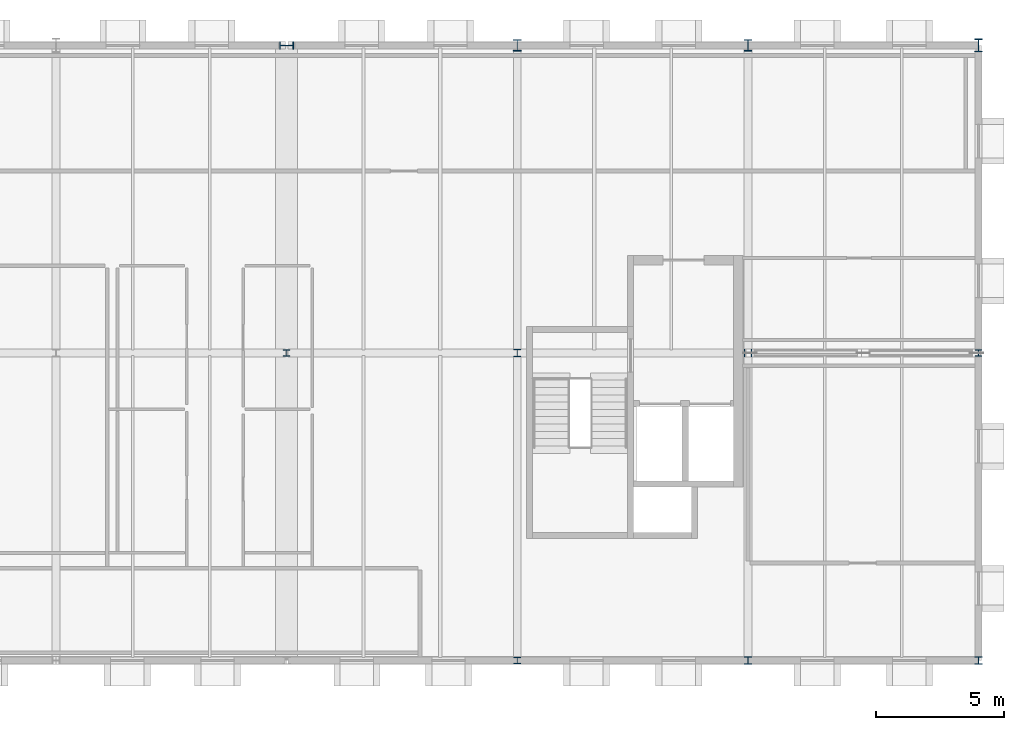
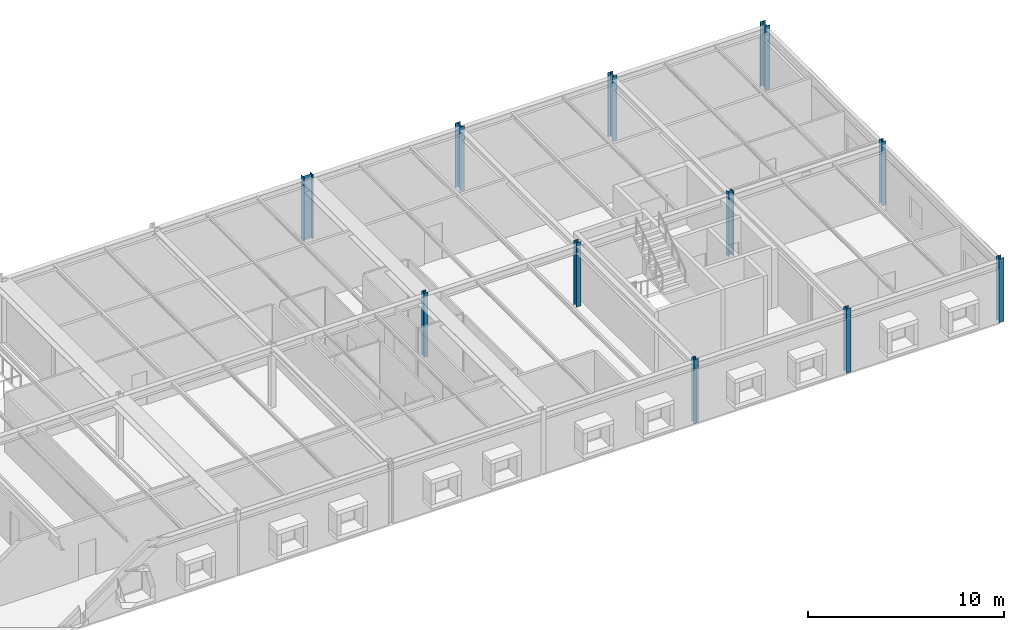
# One storey, part 3 of 17: 11 columns.
"""IFC4 building model written with IfcOpenShell, lengths in metres."""

from ifc_helpers import new_model, si_unit, direction, frame, origin, origin_2d, place, context, subcontext, project, spatial, i_section, extrude, material, material_profile, profile_set, type_object, element, save


model = new_model("IFC4")

# Units and contexts
model_context = context("Model", 3, precision=1e-05, world=origin(), true_north=direction((0.0, 1.0)))
body_context = subcontext(model_context, "Body", "Model", "MODEL_VIEW")
ifc_project = project(units=[si_unit("LENGTHUNIT", "METRE"), si_unit("AREAUNIT", "SQUARE_METRE"), si_unit("VOLUMEUNIT", "CUBIC_METRE"), si_unit("PLANEANGLEUNIT", "RADIAN"), si_unit("MASSUNIT", "GRAM", prefix="KILO")], contexts=[model_context])

# Site, building, storey
site_placement = place(None, origin())
site = spatial("IfcSite", under=ifc_project, at=site_placement, CompositionType="ELEMENT")
building_placement = place(site_placement, origin())
building = spatial("IfcBuilding", under=site, at=building_placement, Name="Montelvaro Courts of Justice", CompositionType="ELEMENT")
storey_placement = place(building_placement, frame((0.0, 0.0, 31.39990234375)))
storey = spatial("IfcBuildingStorey", under=building, at=storey_placement, Name="L07", CompositionType="ELEMENT", Elevation=31.39990234375)

# Columns
ifc_material = material(Name="Steel S355", Category="steel")
ifc_material_profile_1 = material_profile(ifc_material, i_section(OverallWidth=0.260009765625, OverallDepth=0.260009765625, WebThickness=0.010009765625, FlangeThickness=0.017578125, at=origin_2d()), Name="HEB 260")
ifc_profile_set_1 = profile_set([ifc_material_profile_1], Name="Steel S355")
column_type_1 = type_object("IfcColumnType", Name="Col_HEB260", PredefinedType="COLUMN", material=ifc_profile_set_1)
for number, where, z_axis, x_axis, name in (
    (1, (99.0, 12.0, 0.0), (0.0, 0.0, 1.0), (1.0, 0.0, 0.0), "Column C-01 L07 12/B"),
    (2, (108.0, 0.0, 0.0), (0.0, 0.0, 1.0), (1.0, 0.0, 0.0), "Column C-01 L07 13/A"),
    (3, (126.0, 12.0, 0.0), (0.0, 0.0, 1.0), (1.0, 0.0, 0.0), "Column C-01 L07 15/B"),
):
    element("IfcColumn", number, at=place(storey_placement, frame(where, z_axis=z_axis, x_axis=x_axis)), inside=storey, type_object=column_type_1, Name=name, PredefinedType="COLUMN", context=body_context, shape_type="SweptSolid", body=[
        extrude(i_section(OverallWidth=0.260009765625, OverallDepth=0.260009765625, WebThickness=0.010009765625, FlangeThickness=0.017578125, at=origin_2d()), origin(), (0.0, 0.0, 1.0), 4.0),
    ])
ifc_material_profile_2 = material_profile(ifc_material, i_section(OverallWidth=0.280029296875, OverallDepth=0.280029296875, WebThickness=0.010498046875, FlangeThickness=0.01806640625, at=origin_2d()), Name="HEB 280")
ifc_profile_set_2 = profile_set([ifc_material_profile_2], Name="Steel S355")
column_type_2 = type_object("IfcColumnType", Name="Col_HEB280", PredefinedType="COLUMN", material=ifc_profile_set_2)
for number, where, z_axis, x_axis, name in (
    (4, (108.0, 12.0, 0.0), (0.0, 0.0, 1.0), (1.0, 0.0, 0.0), "Column C-02 L07 13/B"),
    (5, (117.0, 0.0, 0.0), (0.0, 0.0, 1.0), (1.0, 0.0, 0.0), "Column C-02 L07 14/A"),
):
    element("IfcColumn", number, at=place(storey_placement, frame(where, z_axis=z_axis, x_axis=x_axis)), inside=storey, type_object=column_type_2, Name=name, PredefinedType="COLUMN", context=body_context, shape_type="SweptSolid", body=[
        extrude(i_section(OverallWidth=0.280029296875, OverallDepth=0.280029296875, WebThickness=0.010498046875, FlangeThickness=0.01806640625, at=origin_2d()), origin(), (0.0, 0.0, 1.0), 4.0),
    ])
ifc_material_profile_3 = material_profile(ifc_material, i_section(OverallWidth=0.300048828125, OverallDepth=0.300048828125, WebThickness=0.010986328125, FlangeThickness=0.01904296875, at=origin_2d()), Name="HEB 300")
ifc_profile_set_3 = profile_set([ifc_material_profile_3], Name="Steel S355")
column_type_3 = type_object("IfcColumnType", Name="Col_HEB300", PredefinedType="COLUMN", material=ifc_profile_set_3)
for number, where, z_axis, x_axis, name in (
    (6, (117.0, 12.0, 0.0), (0.0, 0.0, 1.0), (0.0, 1.0, 0.0), "Column C-03 L07 14/B"),
    (7, (126.0, 0.0, 0.0), (0.0, 0.0, 1.0), (1.0, 0.0, 0.0), "Column C-03 L07 15/A"),
):
    element("IfcColumn", number, at=place(storey_placement, frame(where, z_axis=z_axis, x_axis=x_axis)), inside=storey, type_object=column_type_3, Name=name, PredefinedType="COLUMN", context=body_context, shape_type="SweptSolid", body=[
        extrude(i_section(OverallWidth=0.300048828125, OverallDepth=0.300048828125, WebThickness=0.010986328125, FlangeThickness=0.01904296875, at=origin_2d()), origin(), (0.0, 0.0, 1.0), 4.0),
    ])
ifc_material_profile_4 = material_profile(ifc_material, i_section(OverallWidth=0.300048828125, OverallDepth=0.449951171875, WebThickness=0.013916015625, FlangeThickness=0.02587890625, at=origin_2d()), Name="HEB 450")
ifc_profile_set_4 = profile_set([ifc_material_profile_4], Name="Steel S355")
column_type_4 = type_object("IfcColumnType", Name="Col_HEB450", PredefinedType="COLUMN", material=ifc_profile_set_4)
for number, where, z_axis, x_axis, name in (
    (8, (108.0, 24.0, 0.0), (0.0, 0.0, 1.0), (1.0, 0.0, 0.0), "Column C-08 L07 13/C"),
    (9, (117.0, 24.0, 0.0), (0.0, 0.0, 1.0), (1.0, 0.0, 0.0), "Column C-08 L07 14/C"),
):
    element("IfcColumn", number, at=place(storey_placement, frame(where, z_axis=z_axis, x_axis=x_axis)), inside=storey, type_object=column_type_4, Name=name, PredefinedType="COLUMN", context=body_context, shape_type="SweptSolid", body=[
        extrude(i_section(OverallWidth=0.300048828125, OverallDepth=0.449951171875, WebThickness=0.013916015625, FlangeThickness=0.02587890625, at=origin_2d()), origin(), (0.0, 0.0, 1.0), 4.0),
    ])
ifc_material_profile_5 = material_profile(ifc_material, i_section(OverallWidth=0.300048828125, OverallDepth=0.5, WebThickness=0.014404296875, FlangeThickness=0.028076171875, at=origin_2d()), Name="HEB 500")
ifc_profile_set_5 = profile_set([ifc_material_profile_5], Name="Steel S355")
column_type_5 = type_object("IfcColumnType", Name="Col_HEB500", PredefinedType="COLUMN", material=ifc_profile_set_5)
column_1_placement = place(storey_placement, frame((126.0, 24.0, 0.0), z_axis=(0.0, 0.0, 1.0), x_axis=(1.0, 0.0, 0.0)))
element("IfcColumn", 10, at=column_1_placement, inside=storey, type_object=column_type_5, Name="Column C-09 L07 15/C", PredefinedType="COLUMN", context=body_context, shape_type="SweptSolid", body=[
    extrude(i_section(OverallWidth=0.300048828125, OverallDepth=0.5, WebThickness=0.014404296875, FlangeThickness=0.028076171875, at=origin_2d()), origin(), (0.0, 0.0, 1.0), 4.0),
])
ifc_material_profile_6 = material_profile(ifc_material, i_section(OverallWidth=0.300048828125, OverallDepth=0.550048828125, WebThickness=0.014892578125, FlangeThickness=0.029052734375, at=origin_2d()), Name="HEB 550")
ifc_profile_set_6 = profile_set([ifc_material_profile_6], Name="Steel S355")
column_type_6 = type_object("IfcColumnType", Name="Col_HEB550", PredefinedType="COLUMN", material=ifc_profile_set_6)
column_2_placement = place(storey_placement, frame((99.0, 24.0, 0.0), z_axis=(0.0, 0.0, 1.0), x_axis=(0.0, 1.0, 0.0)))
element("IfcColumn", 11, at=column_2_placement, inside=storey, type_object=column_type_6, Name="Column C-10 L07 12/C", PredefinedType="COLUMN", context=body_context, shape_type="SweptSolid", body=[
    extrude(i_section(OverallWidth=0.300048828125, OverallDepth=0.550048828125, WebThickness=0.014892578125, FlangeThickness=0.029052734375, at=origin_2d()), origin(), (0.0, 0.0, 1.0), 4.0),
])

save(model, "model.ifc")
